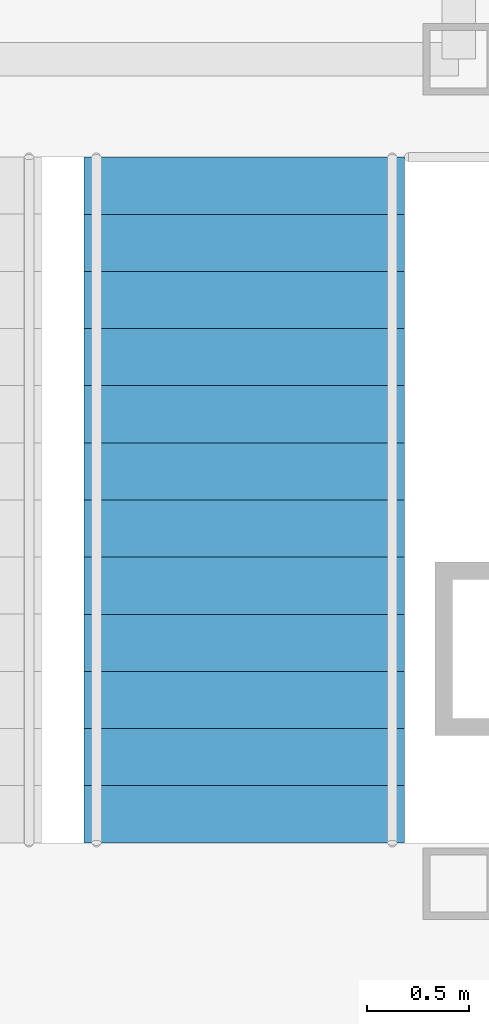
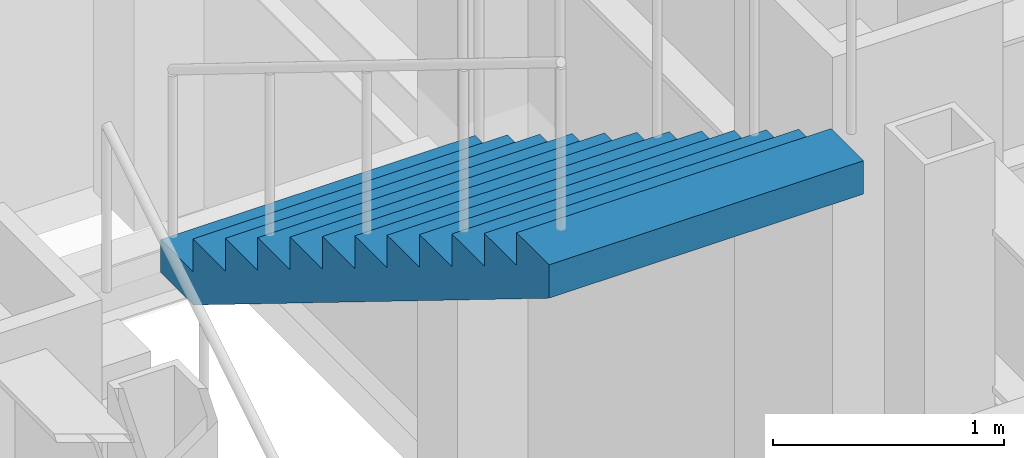
# One storey, part 13 of 16: 1 stair flight, 1 element without a shape of its own.
"""IFC4 building model written with IfcOpenShell, lengths in metres."""

from ifc_helpers import new_model, si_unit, direction, frame, origin, place, context, subcontext, project, spatial, faceted_brep, material, type_object, element, aggregate, save


model = new_model("IFC4")

# Units and contexts
model_context = context("Model", 3, precision=1e-05, world=origin(), true_north=direction((0.0, 1.0)))
body_context = subcontext(model_context, "Body", "Model", "MODEL_VIEW")
ifc_project = project(units=[si_unit("LENGTHUNIT", "METRE"), si_unit("AREAUNIT", "SQUARE_METRE"), si_unit("VOLUMEUNIT", "CUBIC_METRE"), si_unit("PLANEANGLEUNIT", "RADIAN"), si_unit("MASSUNIT", "GRAM", prefix="KILO")], contexts=[model_context])

# Site, building, storey
site_placement = place(None, origin())
site = spatial("IfcSite", under=ifc_project, at=site_placement, CompositionType="ELEMENT")
building_placement = place(site_placement, origin())
building = spatial("IfcBuilding", under=site, at=building_placement, Name="Chuquiago Exchange Tower", CompositionType="ELEMENT")
storey_placement = place(building_placement, frame((0.0, 0.0, 33.300048828125)))
storey = spatial("IfcBuildingStorey", under=building, at=storey_placement, Name="L06", CompositionType="ELEMENT", Elevation=33.300048828125)

# Stair, stair flight
ifc_material_1 = material(Name="Concrete C30/37, precast", Category="concrete")
stair_type = type_object("IfcStairType", Name="ST2 half-turn stair 4500", PredefinedType="HALF_TURN_STAIR", material=ifc_material_1)
stair_placement = place(storey_placement, origin())
stair = element("IfcStair", 1, at=stair_placement, inside=storey, type_object=stair_type, Name="Stair ST2 L06", PredefinedType="HALF_TURN_STAIR")
ifc_material_2 = material(Name="Concrete C30/37, precast", Category="concrete")
stair_flight_type = type_object("IfcStairFlightType", Name="ST-F flight 1570 for 4500 storey", PredefinedType="STRAIGHT", material=ifc_material_2)
stair_flight_placement = place(storey_placement, frame((31.639892578125, 26.409912109375, 2.25), z_axis=(0.0, 0.0, 1.0), x_axis=(0.0, -1.0, 0.0)))
stair_flight = element("IfcStairFlight", 2, at=stair_flight_placement, type_object=stair_flight_type, Name="ST2 flight 2", NumberOfRisers=13, NumberOfTreads=12, PredefinedType="STRAIGHT", RiserHeight=0.173076923, TreadLength=0.28, context=body_context, shape_type="Brep", body=[
    faceted_brep([(0.0, 0.78515625, 0.0), (0.0, 0.78515625, 0.173095703125), (0.280029296875, 0.78515625, 0.173095703125), (0.280029296875, 0.78515625, 0.34619140625), (0.56005859375, 0.78515625, 0.34619140625), (0.56005859375, 0.78515625, 0.519287109375), (0.840087890625, 0.78515625, 0.519287109375), (0.840087890625, 0.78515625, 0.6923828125), (1.1201171875, 0.78515625, 0.6923828125), (1.1201171875, 0.78515625, 0.865478515625), (1.39990234375, 0.78515625, 0.865478515625), (1.39990234375, 0.78515625, 1.03857421875), (1.679931640625, 0.78515625, 1.03857421875), (1.679931640625, 0.78515625, 1.21142578125), (1.9599609375, 0.78515625, 1.21142578125), (1.9599609375, 0.78515625, 1.384521484375), (2.239990234375, 0.78515625, 1.384521484375), (2.239990234375, 0.78515625, 1.5576171875), (2.52001953125, 0.78515625, 1.5576171875), (2.52001953125, 0.78515625, 1.730712890625), (2.800048828125, 0.78515625, 1.730712890625), (2.800048828125, 0.78515625, 1.90380859375), (3.080078125, 0.78515625, 1.90380859375), (3.080078125, 0.78515625, 2.076904296875), (3.360107421875, 0.78515625, 2.076904296875), (3.360107421875, 0.78515625, 1.900634765625), (0.28515625, 0.78515625, 0.0), (0.28515625, -0.78515625, 0.0), (3.360107421875, -0.78515625, 1.900634765625), (3.360107421875, -0.78515625, 2.076904296875), (3.080078125, -0.78515625, 2.076904296875), (3.080078125, -0.78515625, 1.90380859375), (2.800048828125, -0.78515625, 1.90380859375), (2.800048828125, -0.78515625, 1.730712890625), (2.52001953125, -0.78515625, 1.730712890625), (2.52001953125, -0.78515625, 1.5576171875), (2.239990234375, -0.78515625, 1.5576171875), (2.239990234375, -0.78515625, 1.384521484375), (1.9599609375, -0.78515625, 1.384521484375), (1.9599609375, -0.78515625, 1.21142578125), (1.679931640625, -0.78515625, 1.21142578125), (1.679931640625, -0.78515625, 1.03857421875), (1.39990234375, -0.78515625, 1.03857421875), (1.39990234375, -0.78515625, 0.865478515625), (1.1201171875, -0.78515625, 0.865478515625), (1.1201171875, -0.78515625, 0.6923828125), (0.840087890625, -0.78515625, 0.6923828125), (0.840087890625, -0.78515625, 0.519287109375), (0.56005859375, -0.78515625, 0.519287109375), (0.56005859375, -0.78515625, 0.34619140625), (0.280029296875, -0.78515625, 0.34619140625), (0.280029296875, -0.78515625, 0.173095703125), (0.0, -0.78515625, 0.173095703125), (0.0, -0.78515625, 0.0), (0.0, 0.392578125, 0.0), (0.0, 0.392578125, 0.173095703125), (0.0, 0.0, 0.0), (0.0, 0.0, 0.173095703125), (0.0, -0.392578125, 0.0), (0.0, -0.392578125, 0.173095703125), (0.280029296875, 0.392578125, 0.173095703125), (0.280029296875, 0.0, 0.173095703125), (0.280029296875, -0.392578125, 0.173095703125), (0.280029296875, 0.392578125, 0.34619140625), (0.280029296875, 0.0, 0.34619140625), (0.280029296875, -0.392578125, 0.34619140625), (0.56005859375, 0.392578125, 0.34619140625), (0.56005859375, 0.0, 0.34619140625), (0.56005859375, -0.392578125, 0.34619140625), (0.56005859375, 0.392578125, 0.519287109375), (0.56005859375, 0.0, 0.519287109375), (0.56005859375, -0.392578125, 0.519287109375), (0.840087890625, 0.392578125, 0.519287109375), (0.840087890625, 0.0, 0.519287109375), (0.840087890625, -0.392578125, 0.519287109375), (0.840087890625, 0.392578125, 0.6923828125), (0.840087890625, 0.0, 0.6923828125), (0.840087890625, -0.392578125, 0.6923828125), (1.1201171875, 0.392578125, 0.6923828125), (1.1201171875, 0.0, 0.6923828125), (1.1201171875, -0.392578125, 0.6923828125), (1.1201171875, 0.392578125, 0.865478515625), (1.1201171875, 0.0, 0.865478515625), (1.1201171875, -0.392578125, 0.865478515625), (1.39990234375, 0.392578125, 0.865478515625), (1.39990234375, 0.0, 0.865478515625), (1.39990234375, -0.392578125, 0.865478515625), (1.39990234375, 0.392578125, 1.03857421875), (1.39990234375, 0.0, 1.03857421875), (1.39990234375, -0.392578125, 1.03857421875), (1.679931640625, 0.392578125, 1.03857421875), (1.679931640625, 0.0, 1.03857421875), (1.679931640625, -0.392578125, 1.03857421875), (1.679931640625, 0.392578125, 1.21142578125), (1.679931640625, 0.0, 1.21142578125), (1.679931640625, -0.392578125, 1.21142578125), (1.9599609375, 0.392578125, 1.21142578125), (1.9599609375, 0.0, 1.21142578125), (1.9599609375, -0.392578125, 1.21142578125), (1.9599609375, 0.392578125, 1.384521484375), (1.9599609375, 0.0, 1.384521484375), (1.9599609375, -0.392578125, 1.384521484375), (2.239990234375, 0.392578125, 1.384521484375), (2.239990234375, 0.0, 1.384521484375), (2.239990234375, -0.392578125, 1.384521484375), (2.239990234375, 0.392578125, 1.5576171875), (2.239990234375, 0.0, 1.5576171875), (2.239990234375, -0.392578125, 1.5576171875), (2.52001953125, 0.392578125, 1.5576171875), (2.52001953125, 0.0, 1.5576171875), (2.52001953125, -0.392578125, 1.5576171875), (2.52001953125, 0.392578125, 1.730712890625), (2.52001953125, 0.0, 1.730712890625), (2.52001953125, -0.392578125, 1.730712890625), (2.800048828125, 0.392578125, 1.730712890625), (2.800048828125, 0.0, 1.730712890625), (2.800048828125, -0.392578125, 1.730712890625), (2.800048828125, 0.392578125, 1.90380859375), (2.800048828125, 0.0, 1.90380859375), (2.800048828125, -0.392578125, 1.90380859375), (3.080078125, 0.392578125, 1.90380859375), (3.080078125, 0.0, 1.90380859375), (3.080078125, -0.392578125, 1.90380859375), (3.080078125, 0.392578125, 2.076904296875), (3.080078125, 0.0, 2.076904296875), (3.080078125, -0.392578125, 2.076904296875), (3.360107421875, 0.392578125, 2.076904296875), (3.360107421875, 0.0, 2.076904296875), (3.360107421875, -0.392578125, 2.076904296875), (3.360107421875, 0.392578125, 1.900634765625), (3.360107421875, 0.0, 1.900634765625), (3.360107421875, -0.392578125, 1.900634765625), (0.28515625, 0.392578125, 0.0), (0.28515625, 0.0, 0.0), (0.28515625, -0.392578125, 0.0)], [[[0, 1, 2, 3, 4, 5, 6, 7, 8, 9, 10, 11, 12, 13, 14, 15, 16, 17, 18, 19, 20, 21, 22, 23, 24, 25, 26]], [[27, 28, 29, 30, 31, 32, 33, 34, 35, 36, 37, 38, 39, 40, 41, 42, 43, 44, 45, 46, 47, 48, 49, 50, 51, 52, 53]], [[1, 0, 54, 55]], [[55, 54, 56, 57]], [[57, 56, 58, 59]], [[59, 58, 53, 52]], [[2, 1, 55, 60]], [[60, 55, 57, 61]], [[61, 57, 59, 62]], [[62, 59, 52, 51]], [[3, 2, 60, 63]], [[63, 60, 61, 64]], [[64, 61, 62, 65]], [[65, 62, 51, 50]], [[4, 3, 63, 66]], [[66, 63, 64, 67]], [[67, 64, 65, 68]], [[68, 65, 50, 49]], [[5, 4, 66, 69]], [[69, 66, 67, 70]], [[70, 67, 68, 71]], [[71, 68, 49, 48]], [[6, 5, 69, 72]], [[72, 69, 70, 73]], [[73, 70, 71, 74]], [[74, 71, 48, 47]], [[7, 6, 72, 75]], [[75, 72, 73, 76]], [[76, 73, 74, 77]], [[77, 74, 47, 46]], [[8, 7, 75, 78]], [[78, 75, 76, 79]], [[79, 76, 77, 80]], [[80, 77, 46, 45]], [[9, 8, 78, 81]], [[81, 78, 79, 82]], [[82, 79, 80, 83]], [[83, 80, 45, 44]], [[10, 9, 81, 84]], [[84, 81, 82, 85]], [[85, 82, 83, 86]], [[86, 83, 44, 43]], [[11, 10, 84, 87]], [[87, 84, 85, 88]], [[88, 85, 86, 89]], [[89, 86, 43, 42]], [[12, 11, 87, 90]], [[90, 87, 88, 91]], [[91, 88, 89, 92]], [[92, 89, 42, 41]], [[13, 12, 90, 93]], [[93, 90, 91, 94]], [[94, 91, 92, 95]], [[95, 92, 41, 40]], [[14, 13, 93, 96]], [[96, 93, 94, 97]], [[97, 94, 95, 98]], [[98, 95, 40, 39]], [[15, 14, 96, 99]], [[99, 96, 97, 100]], [[100, 97, 98, 101]], [[101, 98, 39, 38]], [[16, 15, 99, 102]], [[102, 99, 100, 103]], [[103, 100, 101, 104]], [[104, 101, 38, 37]], [[17, 16, 102, 105]], [[105, 102, 103, 106]], [[106, 103, 104, 107]], [[107, 104, 37, 36]], [[18, 17, 105, 108]], [[108, 105, 106, 109]], [[109, 106, 107, 110]], [[110, 107, 36, 35]], [[19, 18, 108, 111]], [[111, 108, 109, 112]], [[112, 109, 110, 113]], [[113, 110, 35, 34]], [[20, 19, 111, 114]], [[114, 111, 112, 115]], [[115, 112, 113, 116]], [[116, 113, 34, 33]], [[21, 20, 114, 117]], [[117, 114, 115, 118]], [[118, 115, 116, 119]], [[119, 116, 33, 32]], [[22, 21, 117, 120]], [[120, 117, 118, 121]], [[121, 118, 119, 122]], [[122, 119, 32, 31]], [[23, 22, 120, 123]], [[123, 120, 121, 124]], [[124, 121, 122, 125]], [[125, 122, 31, 30]], [[24, 23, 123, 126]], [[126, 123, 124, 127]], [[127, 124, 125, 128]], [[128, 125, 30, 29]], [[25, 24, 126, 129]], [[129, 126, 127, 130]], [[130, 127, 128, 131]], [[131, 128, 29, 28]], [[26, 25, 129, 132]], [[132, 129, 130, 133]], [[133, 130, 131, 134]], [[134, 131, 28, 27]], [[0, 26, 132, 54]], [[54, 132, 133, 56]], [[56, 133, 134, 58]], [[58, 134, 27, 53]]]),
])
aggregate(stair, [stair_flight])

save(model, "model.ifc")
